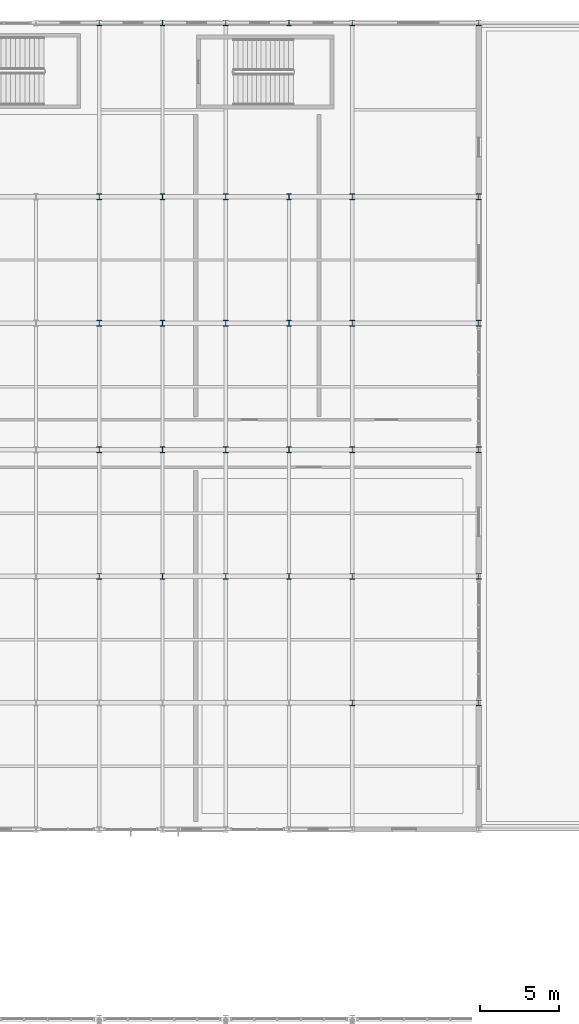
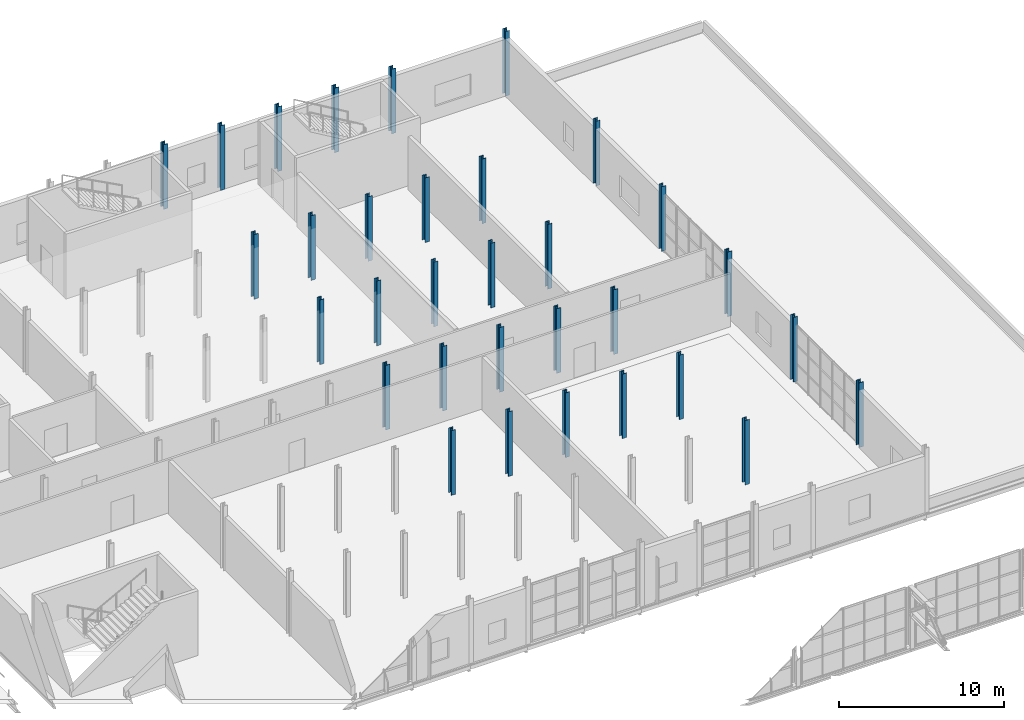
# One storey, part 17 of 143: 32 columns.
"""IFC4 building model written with IfcOpenShell, lengths in metres."""

import ifcopenshell
import ifcopenshell.guid

model = None  # the IFC model being written
_history = None  # IfcOwnerHistory: only IFC2X3 demands one
_inside = {}  # id of a spatial element -> (the spatial element, [elements in it])
_under = {}  # id of a project, library or spatial element -> (it, [spatial elements below it])
_declared = {}  # id of a project -> (the project, [libraries it declares])
_typed = {}  # id of a type object -> (the type object, [elements of that type])
_made_of = {}  # id of a material, layer set ... -> (it, [elements and type objects made of it])


def new_model(schema):
    """Start an empty IFC model of exactly this schema.

    Asked for "IFC4X3", IfcOpenShell would pick the latest addendum, in which some entities
    have other attributes; the version numbers below select the first issue.
    IFC2X3 requires an IfcOwnerHistory on every rooted entity: one is made here for all.
    """
    global model, _history
    if schema == "IFC4X3":
        model = ifcopenshell.file(schema_version=(4, 3, 0, 0))
    else:
        model = ifcopenshell.file(schema=schema)
    _inside.clear()
    _under.clear()
    _declared.clear()
    _typed.clear()
    _made_of.clear()
    _history = None
    if model.schema == "IFC2X3":
        org = make("IfcOrganization", Name="unknown")
        user = make(
            "IfcPersonAndOrganization",
            ThePerson=make("IfcPerson", FamilyName="unknown"),
            TheOrganization=org,
        )
        app = make(
            "IfcApplication",
            ApplicationDeveloper=org,
            Version="unknown",
            ApplicationFullName="unknown",
            ApplicationIdentifier="unknown",
        )
        _history = make(
            "IfcOwnerHistory",
            OwningUser=user,
            OwningApplication=app,
            ChangeAction="ADDED",
            CreationDate=0,
        )
    return model


def make(cls, **values):
    """One entity of the class cls with the attributes given. An attribute that is None is left unset."""
    return model.create_entity(
        cls, **{name: value for name, value in values.items() if value is not None}
    )


def rooted(cls, **values):
    """An entity with a GlobalId (a new one), such as an element, a storey or a relation."""
    return make(cls, GlobalId=ifcopenshell.guid.new(), OwnerHistory=_history, **values)


def si_unit(unit_type, name, prefix=None):
    """IfcSIUnit, for example si_unit("LENGTHUNIT", "METRE", prefix="MILLI")."""
    return make("IfcSIUnit", UnitType=unit_type, Prefix=prefix, Name=name)


def derived_unit(unit_type, elements):
    """IfcDerivedUnit: a product of units, each with its exponent."""
    return make(
        "IfcDerivedUnit",
        Elements=[
            make("IfcDerivedUnitElement", Unit=unit, Exponent=power)
            for unit, power in elements
        ],
        UnitType=unit_type,
    )


def assignment(units):
    """IfcUnitAssignment: the units of a project."""
    return None if units is None else make("IfcUnitAssignment", Units=units)


def point(xyz):
    """IfcCartesianPoint."""
    return None if xyz is None else make("IfcCartesianPoint", Coordinates=xyz)


def direction(xyz):
    """IfcDirection."""
    return None if xyz is None else make("IfcDirection", DirectionRatios=xyz)


def frame(location, z_axis=None, x_axis=None):
    """IfcAxis2Placement3D, a coordinate frame: its origin and axes. An axis left out is left unset."""
    return make(
        "IfcAxis2Placement3D",
        Location=point(location),
        Axis=direction(z_axis),
        RefDirection=direction(x_axis),
    )


def frame_2d(location, x_axis=None):
    """IfcAxis2Placement2D, a coordinate frame in the plane: its origin and x axis."""
    return make(
        "IfcAxis2Placement2D", Location=point(location), RefDirection=direction(x_axis)
    )


def origin():
    """The frame at (0, 0, 0) with its axes left unset."""
    return frame((0.0, 0.0, 0.0))


def origin_2d():
    """The frame at (0, 0) in the plane with its x axis left unset."""
    return frame_2d((0.0, 0.0))


def place(relative_to, where):
    """IfcLocalPlacement: puts the frame where relative to a parent placement (None: the world)."""
    return make(
        "IfcLocalPlacement", PlacementRelTo=relative_to, RelativePlacement=where
    )


def context(
    kind, dimensions, precision=None, world=None, true_north=None, identifier=None
):
    """IfcGeometricRepresentationContext, for example the 3D "Model" context."""
    return make(
        "IfcGeometricRepresentationContext",
        ContextIdentifier=identifier,
        ContextType=kind,
        CoordinateSpaceDimension=dimensions,
        Precision=precision,
        WorldCoordinateSystem=world,
        TrueNorth=true_north,
    )


def subcontext(parent, identifier, kind, view, scale=None):
    """IfcGeometricRepresentationSubContext, for example "Body" below "Model"."""
    return make(
        "IfcGeometricRepresentationSubContext",
        ContextIdentifier=identifier,
        ContextType=kind,
        ParentContext=parent,
        TargetScale=scale,
        TargetView=view,
    )


def project(units=None, contexts=None):
    """IfcProject with its units and contexts."""
    return rooted(
        "IfcProject",
        Name="project",
        RepresentationContexts=contexts,
        UnitsInContext=assignment(units),
    )


def spatial(cls, under=None, at=None, **own):
    """A site, building, storey or space (cls), placed at a placement, below another one or the project."""
    s = rooted(cls, ObjectPlacement=at, **own)
    if under is not None:
        _under.setdefault(under.id(), (under, []))[1].append(s)
    return s


def profile(cls, at=None, kind="AREA", **sizes):
    """A parametric profile (cls). Its sizes go by their IFC names, for example OverallWidth=200.0."""
    return make(cls, ProfileType=kind, Position=at, **sizes)


def i_section(**sizes):
    """IfcIShapeProfileDef."""
    return profile("IfcIShapeProfileDef", **sizes)


def extrude(swept, where, along, depth):
    """IfcExtrudedAreaSolid: the profile swept, set in the frame where, extruded along a direction by depth."""
    return make(
        "IfcExtrudedAreaSolid",
        SweptArea=swept,
        Position=where,
        ExtrudedDirection=direction(along),
        Depth=depth,
    )


def shape(context_of_items, identifier, shape_type, items):
    """IfcShapeRepresentation: the items that make up one representation, for example the "Body"."""
    return make(
        "IfcShapeRepresentation",
        ContextOfItems=context_of_items,
        RepresentationIdentifier=identifier,
        RepresentationType=shape_type,
        Items=items,
    )


def material(Name=None, Category=None):
    """IfcMaterial."""
    return make("IfcMaterial", Name=Name, Category=Category)


def material_profile(
    of_material, cross_section, Name=None, Category=None, Priority=None
):
    """IfcMaterialProfile: a cross section and its material."""
    return make(
        "IfcMaterialProfile",
        Name=Name,
        Material=of_material,
        Profile=cross_section,
        Priority=Priority,
        Category=Category,
    )


def profile_set(profiles, Name=None, composite=None):
    """IfcMaterialProfileSet."""
    return make(
        "IfcMaterialProfileSet",
        Name=Name,
        MaterialProfiles=profiles,
        CompositeProfile=composite,
    )


def made_of(thing, what):
    """Note that an element or type object is made of a material, layer set ...; save() writes the relation."""
    if what is not None:
        _made_of.setdefault(what.id(), (what, []))[1].append(thing)
    return thing


def type_object(cls, material=None, **own):
    """A type object (cls), such as IfcWallType, which elements share."""
    return made_of(rooted(cls, **own), material)


def element(
    cls,
    number,
    at=None,
    inside=None,
    cuts=None,
    type_object=None,
    material=None,
    context=None,
    identifier="Body",
    shape_type=None,
    held_by="IfcProductDefinitionShape",
    body=None,
    shapes=None,
    **own,
):
    """One element of the class cls, such as IfcWall. Its Tag is "e" and its number.

    at: its placement. inside: the storey or other place that contains it. cuts: it is an
    opening in that element (IfcRelVoidsElement). A single representation is given by context,
    identifier, shape_type and body (its items); several are given by shapes. held_by: the class
    of the entity that holds the representations. save() writes the other relations.
    """
    e = rooted(cls, Tag="e%d" % number, ObjectPlacement=at, **own)
    if body is not None:
        shapes = [shape(context, identifier, shape_type, body)]
    if shapes is not None:
        e.Representation = make(held_by, Representations=shapes)
    if inside is not None:
        _inside.setdefault(inside.id(), (inside, []))[1].append(e)
    if cuts is not None:
        rooted(
            "IfcRelVoidsElement", RelatingBuildingElement=cuts, RelatedOpeningElement=e
        )
    if type_object is not None:
        _typed.setdefault(type_object.id(), (type_object, []))[1].append(e)
    return made_of(e, material)


def aggregate(whole, parts):
    """IfcRelAggregates: a whole, such as a stair, and the parts it consists of."""
    return rooted("IfcRelAggregates", RelatingObject=whole, RelatedObjects=parts)


def save(model, path):
    """Write the relations noted so far, then the file.

    IfcRelAggregates (storeys below a building ...), IfcRelContainedInSpatialStructure (elements
    in a storey), IfcRelDefinesByType, IfcRelAssociatesMaterial and IfcRelDeclares: one each for
    every whole, place, type object, material and project.
    """
    for whole, parts in _under.values():
        aggregate(whole, parts)
    for where, things in _inside.values():
        rooted(
            "IfcRelContainedInSpatialStructure",
            RelatedElements=things,
            RelatingStructure=where,
        )
    for kind, things in _typed.values():
        rooted("IfcRelDefinesByType", RelatedObjects=things, RelatingType=kind)
    for what, things in _made_of.values():
        rooted("IfcRelAssociatesMaterial", RelatedObjects=things, RelatingMaterial=what)
    for by, libraries in _declared.values():
        rooted("IfcRelDeclares", RelatingContext=by, RelatedDefinitions=libraries)
    model.write(path)


model = new_model("IFC4")

# Units and contexts
model_context = context("Model", 3, precision=1e-05, world=origin(), true_north=direction((0.0, 1.0)))
body_context = subcontext(model_context, "Body", "Model", "MODEL_VIEW")
ifc_project = project(units=[si_unit("LENGTHUNIT", "METRE"), si_unit("AREAUNIT", "SQUARE_METRE"), si_unit("VOLUMEUNIT", "CUBIC_METRE"), si_unit("PLANEANGLEUNIT", "RADIAN"), si_unit("MASSUNIT", "GRAM", prefix="KILO"), derived_unit("THERMALTRANSMITTANCEUNIT", [(si_unit("POWERUNIT", "WATT"), 1), (si_unit("LENGTHUNIT", "METRE"), -2), (si_unit("THERMODYNAMICTEMPERATUREUNIT", "KELVIN"), -1)])], contexts=[model_context])

# Site, building, storey
site_placement = place(None, origin())
site = spatial("IfcSite", under=ifc_project, at=site_placement, CompositionType="ELEMENT")
building_placement = place(site_placement, origin())
building = spatial("IfcBuilding", under=site, at=building_placement, Name="Keldorne Ridge Multi-Sports Centre", CompositionType="ELEMENT")
storey_placement = place(building_placement, frame((0.0, 0.0, 4.800048828125)))
storey = spatial("IfcBuildingStorey", under=building, at=storey_placement, Name="L01", CompositionType="ELEMENT", Elevation=4.800048828125)

# Columns
ifc_material = material(Name="Steel S355", Category="steel")
ifc_material_profile = material_profile(ifc_material, i_section(OverallWidth=0.300048828125, OverallDepth=0.360107421875, WebThickness=0.012451171875, FlangeThickness=0.0224609375, FilletRadius=0.027099609375, at=origin_2d()), Name="HEB 360")
ifc_profile_set = profile_set([ifc_material_profile], Name="Steel S355")
column_type = type_object("IfcColumnType", Name="COL-C-10", PredefinedType="COLUMN", material=ifc_profile_set)
for number, where, z_axis, x_axis, name in (
    (1, (136.0, 82.0, 0.0), (0.0, 0.0, 1.0), (1.0, 0.0, 0.0), "Structural column V5-C-07-03 on L01"),
    (2, (136.0, 90.0, 0.0), (0.0, 0.0, 1.0), (1.0, 0.0, 0.0), "Structural column V5-C-07-04 on L01"),
    (3, (136.0, 98.0, 0.0), (0.0, 0.0, 1.0), (1.0, 0.0, 0.0), "Structural column V5-C-07-05 on L01"),
    (4, (136.0, 106.0, 0.0), (0.0, 0.0, 1.0), (1.0, 0.0, 0.0), "Structural column V5-C-07-06 on L01"),
    (5, (136.0, 117.0, 0.0), (0.0, 0.0, 1.0), (1.0, 0.0, 0.0), "Structural column V5-C-07-07 on L01"),
    (6, (140.0, 82.0, 0.0), (0.0, 0.0, 1.0), (1.0, 0.0, 0.0), "Structural column V5-C-08-03 on L01"),
    (7, (140.0, 90.0, 0.0), (0.0, 0.0, 1.0), (1.0, 0.0, 0.0), "Structural column V5-C-08-04 on L01"),
    (8, (140.0, 98.0, 0.0), (0.0, 0.0, 1.0), (1.0, 0.0, 0.0), "Structural column V5-C-08-05 on L01"),
    (9, (140.0, 106.0, 0.0), (0.0, 0.0, 1.0), (1.0, 0.0, 0.0), "Structural column V5-C-08-06 on L01"),
    (10, (140.0, 117.0, 0.0), (0.0, 0.0, 1.0), (1.0, 0.0, 0.0), "Structural column V5-C-08-07 on L01"),
    (11, (144.0, 82.0, 0.0), (0.0, 0.0, 1.0), (1.0, 0.0, 0.0), "Structural column V5-C-09-03 on L01"),
    (12, (144.0, 90.0, 0.0), (0.0, 0.0, 1.0), (1.0, 0.0, 0.0), "Structural column V5-C-09-04 on L01"),
    (13, (144.0, 98.0, 0.0), (0.0, 0.0, 1.0), (1.0, 0.0, 0.0), "Structural column V5-C-09-05 on L01"),
    (14, (144.0, 106.0, 0.0), (0.0, 0.0, 1.0), (1.0, 0.0, 0.0), "Structural column V5-C-09-06 on L01"),
    (15, (144.0, 117.0, 0.0), (0.0, 0.0, 1.0), (1.0, 0.0, 0.0), "Structural column V5-C-09-07 on L01"),
    (16, (148.0, 82.0, 0.0), (0.0, 0.0, 1.0), (1.0, 0.0, 0.0), "Structural column V5-C-10-03 on L01"),
    (17, (148.0, 90.0, 0.0), (0.0, 0.0, 1.0), (1.0, 0.0, 0.0), "Structural column V5-C-10-04 on L01"),
    (18, (148.0, 98.0, 0.0), (0.0, 0.0, 1.0), (1.0, 0.0, 0.0), "Structural column V5-C-10-05 on L01"),
    (19, (148.0, 106.0, 0.0), (0.0, 0.0, 1.0), (1.0, 0.0, 0.0), "Structural column V5-C-10-06 on L01"),
    (20, (148.0, 117.0, 0.0), (0.0, 0.0, 1.0), (1.0, 0.0, 0.0), "Structural column V5-C-10-07 on L01"),
    (21, (152.0, 74.0, 0.0), (0.0, 0.0, 1.0), (1.0, 0.0, 0.0), "Structural column V5-C-11-02 on L01"),
    (22, (152.0, 82.0, 0.0), (0.0, 0.0, 1.0), (1.0, 0.0, 0.0), "Structural column V5-C-11-03 on L01"),
    (23, (152.0, 90.0, 0.0), (0.0, 0.0, 1.0), (1.0, 0.0, 0.0), "Structural column V5-C-11-04 on L01"),
    (24, (152.0, 98.0, 0.0), (0.0, 0.0, 1.0), (1.0, 0.0, 0.0), "Structural column V5-C-11-05 on L01"),
    (25, (152.0, 106.0, 0.0), (0.0, 0.0, 1.0), (1.0, 0.0, 0.0), "Structural column V5-C-11-06 on L01"),
    (26, (152.0, 117.0, 0.0), (0.0, 0.0, 1.0), (1.0, 0.0, 0.0), "Structural column V5-C-11-07 on L01"),
    (27, (160.0, 74.0, 0.0), (0.0, 0.0, 1.0), (1.0, 0.0, 0.0), "Structural column V5-C-12-02 on L01"),
    (28, (160.0, 82.0, 0.0), (0.0, 0.0, 1.0), (1.0, 0.0, 0.0), "Structural column V5-C-12-03 on L01"),
    (29, (160.0, 90.0, 0.0), (0.0, 0.0, 1.0), (1.0, 0.0, 0.0), "Structural column V5-C-12-04 on L01"),
    (30, (160.0, 98.0, 0.0), (0.0, 0.0, 1.0), (1.0, 0.0, 0.0), "Structural column V5-C-12-05 on L01"),
    (31, (160.0, 106.0, 0.0), (0.0, 0.0, 1.0), (1.0, 0.0, 0.0), "Structural column V5-C-12-06 on L01"),
    (32, (160.0, 117.0, 0.0), (0.0, 0.0, 1.0), (1.0, 0.0, 0.0), "Structural column V5-C-12-07 on L01"),
):
    element("IfcColumn", number, at=place(storey_placement, frame(where, z_axis=z_axis, x_axis=x_axis)), inside=storey, type_object=column_type, Name=name, PredefinedType="COLUMN", context=body_context, shape_type="SweptSolid", body=[
        extrude(i_section(OverallWidth=0.300048828125, OverallDepth=0.360107421875, WebThickness=0.012451171875, FlangeThickness=0.0224609375, FilletRadius=0.027099609375, at=origin_2d()), origin(), (0.0, 0.0, 1.0), 4.800048828125),
    ])

save(model, "model.ifc")
